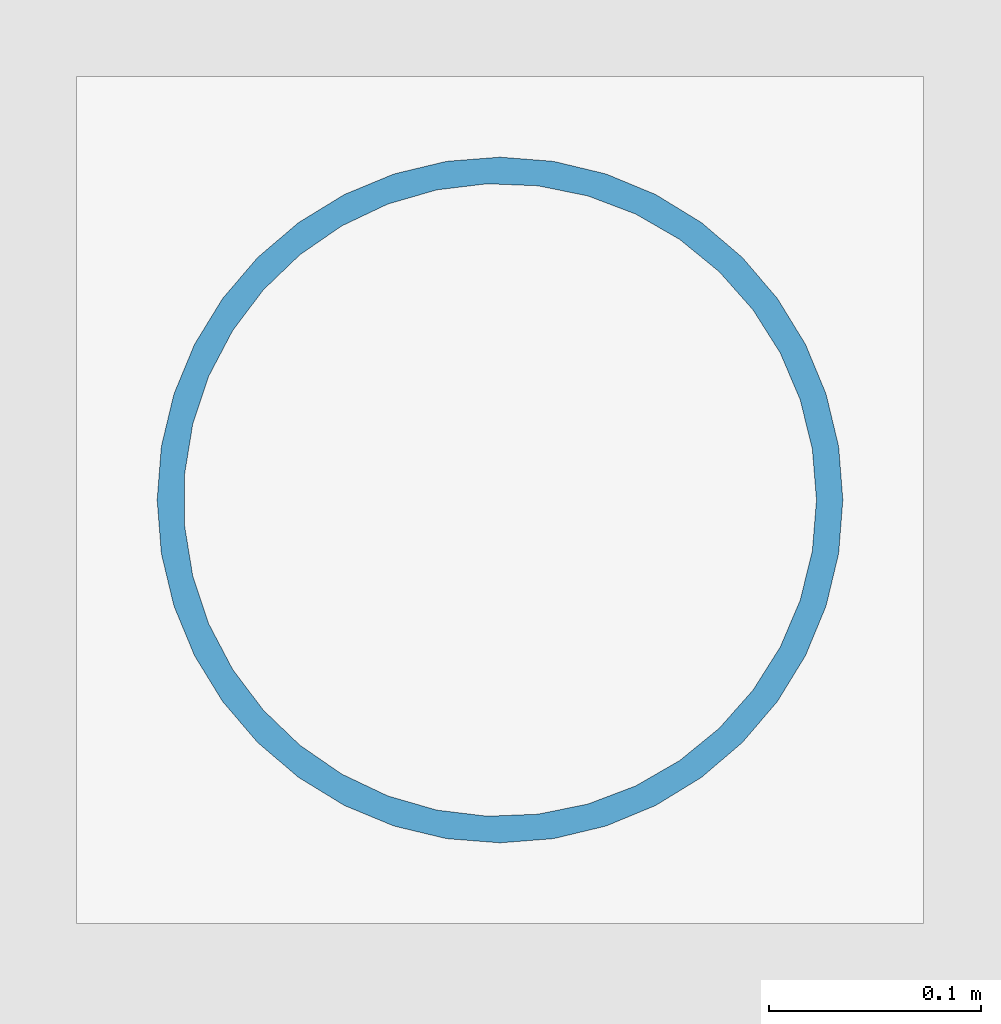
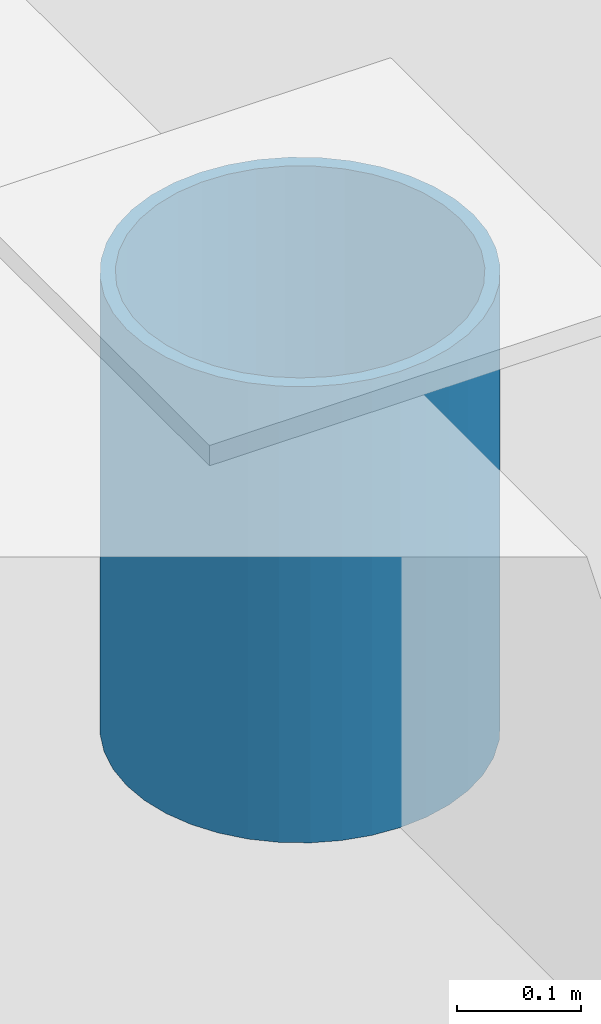
# One storey, part 32 of 129: 1 column.
"""IFC4 building model written with IfcOpenShell, lengths in metres."""

from ifc_helpers import new_model, si_unit, direction, frame, origin, origin_2d, place, context, subcontext, project, spatial, hollow_circle, extrude, material, material_profile, profile_set, type_object, element, save


model = new_model("IFC4")

# Units and contexts
model_context = context("Model", 3, precision=1e-05, world=origin(), true_north=direction((0.0, 1.0)))
body_context = subcontext(model_context, "Body", "Model", "MODEL_VIEW")
ifc_project = project(units=[si_unit("LENGTHUNIT", "METRE"), si_unit("AREAUNIT", "SQUARE_METRE"), si_unit("VOLUMEUNIT", "CUBIC_METRE"), si_unit("PLANEANGLEUNIT", "RADIAN"), si_unit("MASSUNIT", "GRAM", prefix="KILO")], contexts=[model_context])

# Site, building, storey
site_placement = place(None, origin())
site = spatial("IfcSite", under=ifc_project, at=site_placement, CompositionType="ELEMENT")
building_placement = place(site_placement, origin())
building = spatial("IfcBuilding", under=site, at=building_placement, Name="Sitalva Quay Ferry Terminal", CompositionType="ELEMENT")
storey_placement = place(building_placement, origin())
storey = spatial("IfcBuildingStorey", under=building, at=storey_placement, Name="L01", CompositionType="ELEMENT", Elevation=0.0)

# Column
ifc_material = material(Name="Structural Steel S355JR", Category="steel")
ifc_material_profile = material_profile(ifc_material, hollow_circle(Radius=0.161865234375, WallThickness=0.012451171875, at=origin_2d()), Name="CHS324x12.5")
ifc_profile_set = profile_set([ifc_material_profile], Name="Structural Steel S355JR")
column_type = type_object("IfcColumnType", Name="Col_CHS324x12", PredefinedType="COLUMN", material=ifc_profile_set)
column_placement = place(storey_placement, frame((176.0, 54.0, -0.449951171875), z_axis=(0.0, 0.0, 1.0), x_axis=(1.0, 0.0, 0.0)))
element("IfcColumn", 1, at=column_placement, inside=storey, type_object=column_type, Name="L01 column 22G", PredefinedType="COLUMN", context=body_context, shape_type="SweptSolid", body=[
    extrude(hollow_circle(Radius=0.161865234375, WallThickness=0.012451171875, at=origin_2d()), origin(), (0.0, 0.0, 1.0), 0.449951171875),
])

save(model, "model.ifc")
